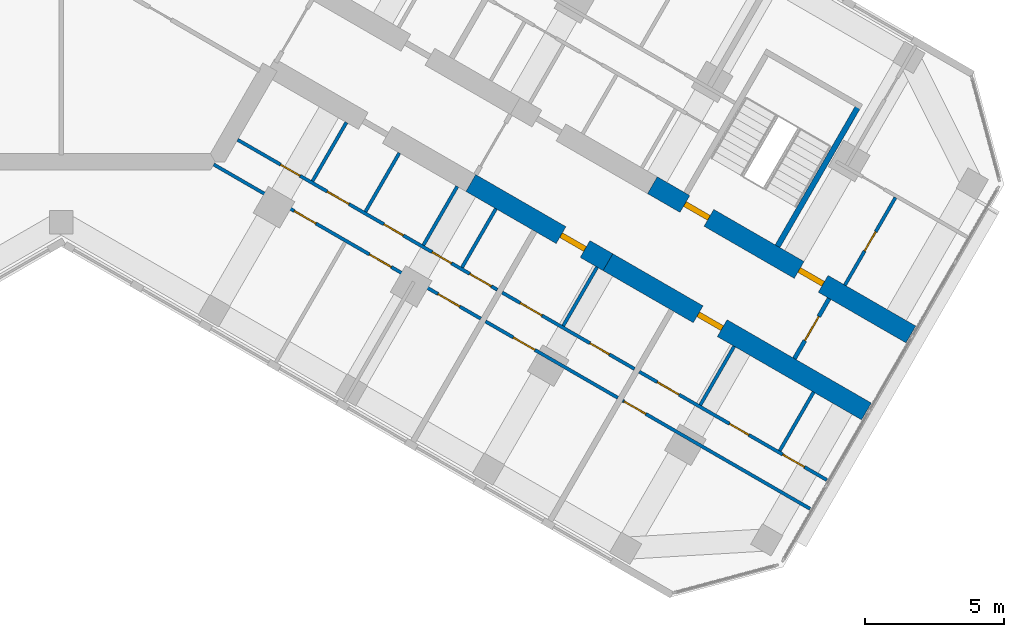
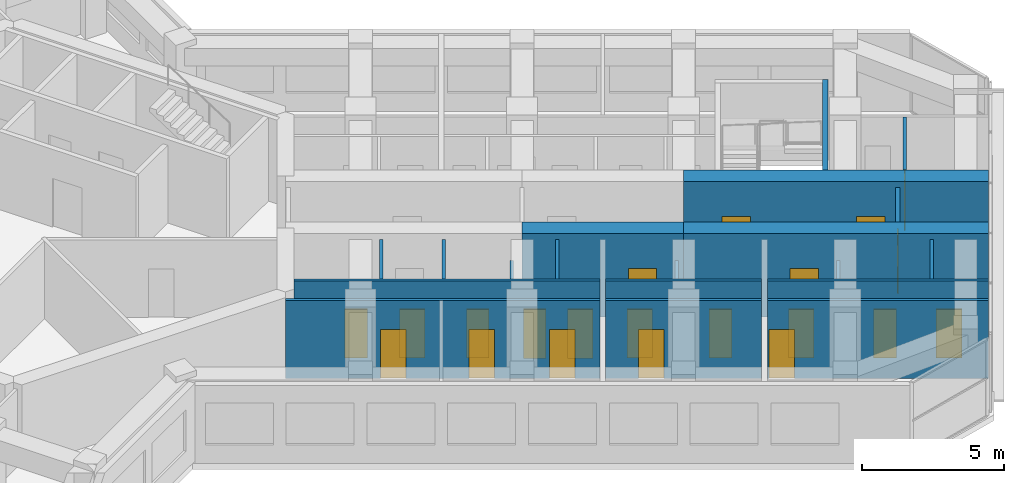
# One storey, part 11 of 16: 21 doors, 19 walls, 21 openings.
"""IFC4 building model written with IfcOpenShell, lengths in metres."""

from ifc_helpers import new_model, si_unit, direction, frame, frame_2d, origin, place, context, subcontext, project, spatial, rectangle, extrude, material, layer, layer_set, type_object, element, fill, save


model = new_model("IFC4")

# Units and contexts
model_context = context("Model", 3, precision=1e-05, world=origin(), true_north=direction((0.0, 1.0)))
body_context = subcontext(model_context, "Body", "Model", "MODEL_VIEW")
ifc_project = project(units=[si_unit("LENGTHUNIT", "METRE"), si_unit("AREAUNIT", "SQUARE_METRE"), si_unit("VOLUMEUNIT", "CUBIC_METRE"), si_unit("PLANEANGLEUNIT", "RADIAN"), si_unit("MASSUNIT", "GRAM", prefix="KILO")], contexts=[model_context])

# Site, building, storey
site_placement = place(None, origin())
site = spatial("IfcSite", under=ifc_project, at=site_placement, CompositionType="ELEMENT")
building_placement = place(site_placement, origin())
building = spatial("IfcBuilding", under=site, at=building_placement, Name="Kosmar Iwan School Tower", CompositionType="ELEMENT")
storey_placement = place(building_placement, frame((0.0, 0.0, 238.800048828125)))
storey = spatial("IfcBuildingStorey", under=building, at=storey_placement, Name="L60", CompositionType="ELEMENT", Elevation=238.800048828125)

# Wall, openings, doors
ifc_material_1 = material(Name="Concrete C50/60", Category="concrete")
ifc_layer_1 = layer(ifc_material_1, 0.699951171875)
ifc_layer_set_1 = layer_set([ifc_layer_1], Name="Corridor buttress wall 700")
wall_type_1 = type_object("IfcWallType", Name="Corridor buttress wall 700", PredefinedType="SHEAR", material=ifc_layer_set_1)
wall_1_placement = place(storey_placement, frame((21.281494140625, -10.439453125, 0.0), z_axis=(0.0, 0.0, 1.0), x_axis=(0.866032345022, -0.499987977232, 0.0)))
wall_1 = element("IfcWall", 1, at=wall_1_placement, inside=storey, type_object=wall_type_1, Name="Corridor wall CL bay 3", PredefinedType="SHEAR", context=body_context, shape_type="SweptSolid", body=[
    extrude(rectangle(XDim=10.744873046875, YDim=0.699951171875, at=frame_2d((5.37255859375, 0.0))), origin(), (0.0, 0.0, 1.0), 3.599853515625),
])
opening_1_placement = place(wall_1_placement, frame((6.10009765625, 0.0, 0.0)))
opening_1 = element("IfcOpeningElement", 2, at=opening_1_placement, cuts=wall_1, Name="Opening D1", PredefinedType="OPENING", context=body_context, shape_type="SweptSolid", body=[
    extrude(rectangle(XDim=1.0, YDim=2.10009765625, at=frame_2d((0.5, 1.050048828125))), frame((0.0, 0.362060546875, 0.0), z_axis=(0.0, -1.0, 0.0), x_axis=(1.0, 0.0, 0.0)), (0.0, 0.0, 1.0), 0.723876953125),
])
opening_2_placement = place(wall_1_placement, frame((1.35009765625, 0.0, 0.0)))
opening_2 = element("IfcOpeningElement", 3, at=opening_2_placement, cuts=wall_1, Name="Opening D6", PredefinedType="OPENING", context=body_context, shape_type="SweptSolid", body=[
    extrude(rectangle(XDim=1.0, YDim=2.10009765625, at=frame_2d((0.5, 1.050048828125))), frame((0.0, 0.362060546875, 0.0), z_axis=(0.0, -1.0, 0.0), x_axis=(1.0, 0.0, 0.0)), (0.0, 0.0, 1.0), 0.723876953125),
])
ifc_material_2 = material(Name="Timber fire door in steel frame", Category="steel")
door_type_1 = type_object("IfcDoorType", Name="Flat entrance door 1000x2100", OperationType="SINGLE_SWING_LEFT", PredefinedType="DOOR", material=ifc_material_2)
door_1_placement = place(opening_1_placement, origin())
door_1 = element("IfcDoor", 4, at=door_1_placement, inside=storey, type_object=door_type_1, Name="Flat L60-CL3 entrance door", OperationType="SINGLE_SWING_RIGHT", OverallHeight=2.10009765625, OverallWidth=1.0, PredefinedType="DOOR", context=body_context, shape_type="SweptSolid", body=[
    extrude(rectangle(XDim=1.0, YDim=2.10009765625, at=frame_2d((0.5, 1.050048828125))), frame((0.0, 0.10009765625, 0.0), z_axis=(0.0, -1.0, 0.0), x_axis=(1.0, 0.0, 0.0)), (0.0, 0.0, 1.0), 0.199951171875),
])
fill(opening_1, door_1)
ifc_material_3 = material(Name="Steel fire door", Category="steel")
door_type_2 = type_object("IfcDoorType", Name="Stair door 1000x2100", OperationType="SINGLE_SWING_LEFT", PredefinedType="DOOR", material=ifc_material_3)
door_2_placement = place(opening_2_placement, origin())
door_2 = element("IfcDoor", 5, at=door_2_placement, inside=storey, type_object=door_type_2, Name="Stair WS3 door L60", OperationType="SINGLE_SWING_LEFT", OverallHeight=2.10009765625, OverallWidth=1.0, PredefinedType="DOOR", context=body_context, shape_type="SweptSolid", body=[
    extrude(rectangle(XDim=1.0, YDim=2.10009765625, at=frame_2d((0.5, 1.050048828125))), frame((0.0, 0.10009765625, 0.0), z_axis=(0.0, -1.0, 0.0), x_axis=(1.0, 0.0, 0.0)), (0.0, 0.0, 1.0), 0.199951171875),
])
fill(opening_2, door_2)

# Wall, opening, door
wall_2_placement = place(storey_placement, frame((14.7451171875, -10.360595703125, 0.0), z_axis=(0.0, 0.0, 1.0), x_axis=(0.866015111908, -0.50001782563, 0.0)))
wall_2 = element("IfcWall", 6, at=wall_2_placement, inside=storey, type_object=wall_type_1, Name="Corridor wall CR bay 2", PredefinedType="SHEAR", context=body_context, shape_type="SweptSolid", body=[
    extrude(rectangle(XDim=5.699951171875, YDim=0.699951171875, at=frame_2d((2.85009765625, 0.0))), origin(), (0.0, 0.0, 1.0), 3.599853515625),
])
opening_3_placement = place(wall_2_placement, frame((3.75, 0.0, 0.0)))
opening_3 = element("IfcOpeningElement", 7, at=opening_3_placement, cuts=wall_2, Name="Opening D1", PredefinedType="OPENING", context=body_context, shape_type="SweptSolid", body=[
    extrude(rectangle(XDim=1.0, YDim=2.10009765625, at=frame_2d((0.5, 1.050048828125))), frame((0.0, 0.362060546875, 0.0), z_axis=(0.0, -1.0, 0.0), x_axis=(1.0, 0.0, 0.0)), (0.0, 0.0, 1.0), 0.723876953125),
])
door_3_placement = place(opening_3_placement, origin())
door_3 = element("IfcDoor", 8, at=door_3_placement, inside=storey, type_object=door_type_1, Name="Flat L60-CR2 entrance door", OperationType="SINGLE_SWING_RIGHT", OverallHeight=2.10009765625, OverallWidth=1.0, PredefinedType="DOOR", context=body_context, shape_type="SweptSolid", body=[
    extrude(rectangle(XDim=1.0, YDim=2.10009765625, at=frame_2d((0.5, 1.050048828125))), frame((0.0, 0.10009765625, 0.0), z_axis=(0.0, -1.0, 0.0), x_axis=(1.0, 0.0, 0.0)), (0.0, 0.0, 1.0), 0.199951171875),
])
fill(opening_3, door_3)

wall_3_placement = place(storey_placement, frame((19.681396484375, -13.210693359375, 0.0), z_axis=(0.0, 0.0, 1.0), x_axis=(0.866028186671, -0.499995179869, 0.0)))
wall_3 = element("IfcWall", 9, at=wall_3_placement, inside=storey, type_object=wall_type_1, Name="Corridor wall CR bay 3", PredefinedType="SHEAR", context=body_context, shape_type="SweptSolid", body=[
    extrude(rectangle(XDim=10.7451171875, YDim=0.699951171875, at=frame_2d((5.37255859375, 0.0))), origin(), (0.0, 0.0, 1.0), 3.599853515625),
])
opening_4_placement = place(wall_3_placement, frame((3.75, 0.0, 0.0)))
opening_4 = element("IfcOpeningElement", 10, at=opening_4_placement, cuts=wall_3, Name="Opening D1", PredefinedType="OPENING", context=body_context, shape_type="SweptSolid", body=[
    extrude(rectangle(XDim=1.0, YDim=2.10009765625, at=frame_2d((0.5, 1.050048828125))), frame((0.0, 0.362060546875, 0.0), z_axis=(0.0, -1.0, 0.0), x_axis=(1.0, 0.0, 0.0)), (0.0, 0.0, 1.0), 0.723876953125),
])
door_4_placement = place(opening_4_placement, origin())
door_4 = element("IfcDoor", 11, at=door_4_placement, inside=storey, type_object=door_type_1, Name="Flat L60-CR3 entrance door", OperationType="SINGLE_SWING_RIGHT", OverallHeight=2.10009765625, OverallWidth=1.0, PredefinedType="DOOR", context=body_context, shape_type="SweptSolid", body=[
    extrude(rectangle(XDim=1.0, YDim=2.10009765625, at=frame_2d((0.5, 1.050048828125))), frame((0.0, 0.10009765625, 0.0), z_axis=(0.0, -1.0, 0.0), x_axis=(1.0, 0.0, 0.0)), (0.0, 0.0, 1.0), 0.199951171875),
])
fill(opening_4, door_4)

ifc_material_4 = material(Name="Gypsum board on steel studs, fire-rated", Category="steel")
ifc_layer_2 = layer(ifc_material_4, 0.14990234375)
ifc_layer_set_2 = layer_set([ifc_layer_2], Name="Corridor end wall 150")
wall_type_2 = type_object("IfcWallType", Name="Corridor end wall 150", PredefinedType="PARTITIONING", material=ifc_layer_set_2)
wall_4_placement = place(storey_placement, frame((26.39501953125, -16.6826171875, 0.0), z_axis=(0.0, 0.0, 1.0), x_axis=(0.500004234368, 0.866022959057, 0.0)))
wall_4 = element("IfcWall", 12, at=wall_4_placement, inside=storey, type_object=wall_type_2, Name="Partition L60-C-CE", PredefinedType="PARTITIONING", context=body_context, shape_type="SweptSolid", body=[
    extrude(rectangle(XDim=2.5, YDim=0.14990234375, at=frame_2d((1.25, 0.0))), origin(), (0.0, 0.0, 1.0), 3.349853515625),
])
opening_5_placement = place(wall_4_placement, frame((0.75, 0.0, 0.0)))
opening_5 = element("IfcOpeningElement", 13, at=opening_5_placement, cuts=wall_4, Name="Opening D13", PredefinedType="OPENING", context=body_context, shape_type="SweptSolid", body=[
    extrude(rectangle(XDim=1.0, YDim=2.10009765625, at=frame_2d((0.5, 1.050048828125))), frame((0.0, 0.0869140625, 0.0), z_axis=(0.0, -1.0, 0.0), x_axis=(1.0, 0.0, 0.0)), (0.0, 0.0, 1.0), 0.173828125),
])
ifc_material_5 = material(Name="Timber fire door with vision panel", Category="wood")
door_type_3 = type_object("IfcDoorType", Name="Corridor end door 1000x2100", OperationType="SINGLE_SWING_LEFT", PredefinedType="DOOR", material=ifc_material_5)
door_5_placement = place(opening_5_placement, origin())
door_5 = element("IfcDoor", 14, at=door_5_placement, inside=storey, type_object=door_type_3, Name="Laundry and drying room door L60-C", OperationType="SINGLE_SWING_LEFT", OverallHeight=2.10009765625, OverallWidth=1.0, PredefinedType="DOOR", context=body_context, shape_type="SweptSolid", body=[
    extrude(rectangle(XDim=1.0, YDim=2.10009765625, at=frame_2d((0.5, 1.050048828125))), frame((0.0, 0.02490234375, 0.0), z_axis=(0.0, -1.0, 0.0), x_axis=(1.0, 0.0, 0.0)), (0.0, 0.0, 1.0), 0.050048828125),
])
fill(opening_5, door_5)

ifc_material_6 = material(Name="Gypsum board on steel studs", Category="steel")
ifc_layer_3 = layer(ifc_material_6, 0.1201171875)
ifc_layer_set_3 = layer_set([ifc_layer_3], Name="Dwelling partition 120")
wall_type_3 = type_object("IfcWallType", Name="Dwelling partition 120", PredefinedType="PARTITIONING", material=ifc_layer_set_3)
wall_5_placement = place(storey_placement, frame((28.21142578125, -14.036376953125, 0.0), z_axis=(0.0, 0.0, 1.0), x_axis=(0.499983701346, 0.866034813612, 0.0)))
wall_5 = element("IfcWall", 15, at=wall_5_placement, inside=storey, type_object=wall_type_3, Name="Partition L60-CL3-TY", PredefinedType="PARTITIONING", context=body_context, shape_type="SweptSolid", body=[
    extrude(rectangle(XDim=3.64013671875, YDim=0.1201171875, at=frame_2d((1.820068359375, 0.0))), origin(), (0.0, 0.0, 1.0), 3.349853515625),
])
opening_6_placement = place(wall_5_placement, frame((1.419921875, 0.0, 0.0)))
opening_6 = element("IfcOpeningElement", 16, at=opening_6_placement, cuts=wall_5, Name="Opening D3", PredefinedType="OPENING", context=body_context, shape_type="SweptSolid", body=[
    extrude(rectangle(XDim=0.800048828125, YDim=2.10009765625, at=frame_2d((0.39990234375, 1.050048828125))), frame((0.0, 0.072021484375, 0.0), z_axis=(0.0, -1.0, 0.0), x_axis=(1.0, 0.0, 0.0)), (0.0, 0.0, 1.0), 0.14404296875),
])
ifc_material_7 = material(Name="Timber door in timber frame", Category="wood")
door_type_4 = type_object("IfcDoorType", Name="Sanitary room door 800x2100", OperationType="SINGLE_SWING_LEFT", PredefinedType="DOOR", material=ifc_material_7)
door_6_placement = place(opening_6_placement, origin())
door_6 = element("IfcDoor", 17, at=door_6_placement, inside=storey, type_object=door_type_4, Name="Bathroom door L60-CL3-T4", OperationType="SINGLE_SWING_LEFT", OverallHeight=2.10009765625, OverallWidth=0.800048828125, PredefinedType="DOOR", context=body_context, shape_type="SweptSolid", body=[
    extrude(rectangle(XDim=0.800048828125, YDim=2.10009765625, at=frame_2d((0.39990234375, 1.050048828125))), frame((0.0, 0.02490234375, 0.0), z_axis=(0.0, -1.0, 0.0), x_axis=(1.0, 0.0, 0.0)), (0.0, 0.0, 1.0), 0.050048828125),
])
fill(opening_6, door_6)

# Wall, openings, doors
wall_6_placement = place(storey_placement, frame((6.3486328125, -8.8037109375, 0.0), z_axis=(0.0, 0.0, 1.0), x_axis=(0.866018442252, -0.500012057535, 0.0)))
wall_6 = element("IfcWall", 18, at=wall_6_placement, inside=storey, type_object=wall_type_3, Name="Partition L60-CR1-W1", PredefinedType="PARTITIONING", context=body_context, shape_type="SweptSolid", body=[
    extrude(rectangle(XDim=10.800048828125, YDim=0.1201171875, at=frame_2d((5.39990234375, 0.0))), origin(), (0.0, 0.0, 1.0), 3.349853515625),
])
opening_7_placement = place(wall_6_placement, frame((1.7900390625, 0.0, 0.0)))
opening_7 = element("IfcOpeningElement", 19, at=opening_7_placement, cuts=wall_6, Name="Opening D3", PredefinedType="OPENING", context=body_context, shape_type="SweptSolid", body=[
    extrude(rectangle(XDim=0.800048828125, YDim=2.10009765625, at=frame_2d((0.39990234375, 1.050048828125))), frame((0.0, 0.072021484375, 0.0), z_axis=(0.0, -1.0, 0.0), x_axis=(1.0, 0.0, 0.0)), (0.0, 0.0, 1.0), 0.14404296875),
])
opening_8_placement = place(wall_6_placement, frame((3.72998046875, 0.0, 0.0)))
opening_8 = element("IfcOpeningElement", 20, at=opening_8_placement, cuts=wall_6, Name="Opening D2", PredefinedType="OPENING", context=body_context, shape_type="SweptSolid", body=[
    extrude(rectangle(XDim=0.89990234375, YDim=2.10009765625, at=frame_2d((0.449951171875, 1.050048828125))), frame((0.0, 0.072021484375, 0.0), z_axis=(0.0, -1.0, 0.0), x_axis=(1.0, 0.0, 0.0)), (0.0, 0.0, 1.0), 0.14404296875),
])
opening_9_placement = place(wall_6_placement, frame((6.084228515625, 0.0, 0.0)))
opening_9 = element("IfcOpeningElement", 21, at=opening_9_placement, cuts=wall_6, Name="Opening D3", PredefinedType="OPENING", context=body_context, shape_type="SweptSolid", body=[
    extrude(rectangle(XDim=0.800048828125, YDim=2.10009765625, at=frame_2d((0.39990234375, 1.050048828125))), frame((0.0, 0.072021484375, 0.0), z_axis=(0.0, -1.0, 0.0), x_axis=(1.0, 0.0, 0.0)), (0.0, 0.0, 1.0), 0.14404296875),
])
opening_10_placement = place(wall_6_placement, frame((8.091552734375, 0.0, 0.0)))
opening_10 = element("IfcOpeningElement", 22, at=opening_10_placement, cuts=wall_6, Name="Opening D3", PredefinedType="OPENING", context=body_context, shape_type="SweptSolid", body=[
    extrude(rectangle(XDim=0.800048828125, YDim=2.10009765625, at=frame_2d((0.39990234375, 1.050048828125))), frame((0.0, 0.072021484375, 0.0), z_axis=(0.0, -1.0, 0.0), x_axis=(1.0, 0.0, 0.0)), (0.0, 0.0, 1.0), 0.14404296875),
])
opening_11_placement = place(wall_6_placement, frame((9.647216796875, 0.0, 0.0)))
opening_11 = element("IfcOpeningElement", 23, at=opening_11_placement, cuts=wall_6, Name="Opening D2", PredefinedType="OPENING", context=body_context, shape_type="SweptSolid", body=[
    extrude(rectangle(XDim=0.89990234375, YDim=2.10009765625, at=frame_2d((0.449951171875, 1.050048828125))), frame((0.0, 0.072021484375, 0.0), z_axis=(0.0, -1.0, 0.0), x_axis=(1.0, 0.0, 0.0)), (0.0, 0.0, 1.0), 0.14404296875),
])
ifc_material_8 = material(Name="Timber door in timber frame", Category="wood")
door_type_5 = type_object("IfcDoorType", Name="Internal door 900x2100", OperationType="SINGLE_SWING_LEFT", PredefinedType="DOOR", material=ifc_material_8)
door_7_placement = place(opening_8_placement, origin())
door_7 = element("IfcDoor", 24, at=door_7_placement, inside=storey, type_object=door_type_5, Name="Entrance hall door L60-CR1-S2", OperationType="SINGLE_SWING_RIGHT", OverallHeight=2.10009765625, OverallWidth=0.89990234375, PredefinedType="DOOR", context=body_context, shape_type="SweptSolid", body=[
    extrude(rectangle(XDim=0.89990234375, YDim=2.10009765625, at=frame_2d((0.449951171875, 1.050048828125))), frame((0.0, 0.02490234375, 0.0), z_axis=(0.0, -1.0, 0.0), x_axis=(1.0, 0.0, 0.0)), (0.0, 0.0, 1.0), 0.050048828125),
])
fill(opening_8, door_7)
door_8_placement = place(opening_11_placement, origin())
door_8 = element("IfcDoor", 25, at=door_8_placement, inside=storey, type_object=door_type_5, Name="Pantry door L60-CR1-S5", OperationType="SINGLE_SWING_RIGHT", OverallHeight=2.10009765625, OverallWidth=0.89990234375, PredefinedType="DOOR", context=body_context, shape_type="SweptSolid", body=[
    extrude(rectangle(XDim=0.89990234375, YDim=2.10009765625, at=frame_2d((0.449951171875, 1.050048828125))), frame((0.0, 0.02490234375, 0.0), z_axis=(0.0, -1.0, 0.0), x_axis=(1.0, 0.0, 0.0)), (0.0, 0.0, 1.0), 0.050048828125),
])
fill(opening_11, door_8)
door_9_placement = place(opening_7_placement, origin())
door_9 = element("IfcDoor", 26, at=door_9_placement, inside=storey, type_object=door_type_4, Name="Shower room door L60-CR1-S1", OperationType="SINGLE_SWING_RIGHT", OverallHeight=2.10009765625, OverallWidth=0.800048828125, PredefinedType="DOOR", context=body_context, shape_type="SweptSolid", body=[
    extrude(rectangle(XDim=0.800048828125, YDim=2.10009765625, at=frame_2d((0.39990234375, 1.050048828125))), frame((0.0, 0.02490234375, 0.0), z_axis=(0.0, -1.0, 0.0), x_axis=(1.0, 0.0, 0.0)), (0.0, 0.0, 1.0), 0.050048828125),
])
fill(opening_7, door_9)
door_10_placement = place(opening_9_placement, origin())
door_10 = element("IfcDoor", 27, at=door_10_placement, inside=storey, type_object=door_type_4, Name="Bathroom door L60-CR1-S3", OperationType="SINGLE_SWING_LEFT", OverallHeight=2.10009765625, OverallWidth=0.800048828125, PredefinedType="DOOR", context=body_context, shape_type="SweptSolid", body=[
    extrude(rectangle(XDim=0.800048828125, YDim=2.10009765625, at=frame_2d((0.39990234375, 1.050048828125))), frame((0.0, 0.02490234375, 0.0), z_axis=(0.0, -1.0, 0.0), x_axis=(1.0, 0.0, 0.0)), (0.0, 0.0, 1.0), 0.050048828125),
])
fill(opening_9, door_10)
door_11_placement = place(opening_10_placement, origin())
door_11 = element("IfcDoor", 28, at=door_11_placement, inside=storey, type_object=door_type_4, Name="Grandparents' shower room door L60-CR1-S4", OperationType="SINGLE_SWING_RIGHT", OverallHeight=2.10009765625, OverallWidth=0.800048828125, PredefinedType="DOOR", context=body_context, shape_type="SweptSolid", body=[
    extrude(rectangle(XDim=0.800048828125, YDim=2.10009765625, at=frame_2d((0.39990234375, 1.050048828125))), frame((0.0, 0.02490234375, 0.0), z_axis=(0.0, -1.0, 0.0), x_axis=(1.0, 0.0, 0.0)), (0.0, 0.0, 1.0), 0.050048828125),
])
fill(opening_10, door_11)

wall_7_placement = place(storey_placement, frame((5.48876953125, -9.693115234375, 0.0), z_axis=(0.0, 0.0, 1.0), x_axis=(0.866026992824, -0.499997247692, 0.0)))
wall_7 = element("IfcWall", 29, at=wall_7_placement, inside=storey, type_object=wall_type_3, Name="Partition L60-CR1-W2", PredefinedType="PARTITIONING", context=body_context, shape_type="SweptSolid", body=[
    extrude(rectangle(XDim=11.10009765625, YDim=0.1201171875, at=frame_2d((5.550048828125, 0.0))), origin(), (0.0, 0.0, 1.0), 3.349853515625),
])
opening_12_placement = place(wall_7_placement, frame((3.35009765625, 0.0, 0.0)))
opening_12 = element("IfcOpeningElement", 30, at=opening_12_placement, cuts=wall_7, Name="Opening D2", PredefinedType="OPENING", context=body_context, shape_type="SweptSolid", body=[
    extrude(rectangle(XDim=0.89990234375, YDim=2.10009765625, at=frame_2d((0.449951171875, 1.050048828125))), frame((0.0, 0.072021484375, 0.0), z_axis=(0.0, -1.0, 0.0), x_axis=(1.0, 0.0, 0.0)), (0.0, 0.0, 1.0), 0.14404296875),
])
opening_13_placement = place(wall_7_placement, frame((6.47509765625, 0.0, 0.0)))
opening_13 = element("IfcOpeningElement", 31, at=opening_13_placement, cuts=wall_7, Name="Opening D2", PredefinedType="OPENING", context=body_context, shape_type="SweptSolid", body=[
    extrude(rectangle(XDim=0.89990234375, YDim=2.10009765625, at=frame_2d((0.449951171875, 1.050048828125))), frame((0.0, 0.072021484375, 0.0), z_axis=(0.0, -1.0, 0.0), x_axis=(1.0, 0.0, 0.0)), (0.0, 0.0, 1.0), 0.14404296875),
])
opening_14_placement = place(wall_7_placement, frame((9.324951171875, 0.0, 0.0)))
opening_14 = element("IfcOpeningElement", 32, at=opening_14_placement, cuts=wall_7, Name="Opening D2", PredefinedType="OPENING", context=body_context, shape_type="SweptSolid", body=[
    extrude(rectangle(XDim=0.89990234375, YDim=2.10009765625, at=frame_2d((0.449951171875, 1.050048828125))), frame((0.0, 0.072021484375, 0.0), z_axis=(0.0, -1.0, 0.0), x_axis=(1.0, 0.0, 0.0)), (0.0, 0.0, 1.0), 0.14404296875),
])
door_12_placement = place(opening_12_placement, origin())
door_12 = element("IfcDoor", 33, at=door_12_placement, inside=storey, type_object=door_type_5, Name="Grandparents' suite door L60-CR1-F1", OperationType="SINGLE_SWING_LEFT", OverallHeight=2.10009765625, OverallWidth=0.89990234375, PredefinedType="DOOR", context=body_context, shape_type="SweptSolid", body=[
    extrude(rectangle(XDim=0.89990234375, YDim=2.10009765625, at=frame_2d((0.449951171875, 1.050048828125))), frame((0.0, 0.02490234375, 0.0), z_axis=(0.0, -1.0, 0.0), x_axis=(1.0, 0.0, 0.0)), (0.0, 0.0, 1.0), 0.050048828125),
])
fill(opening_12, door_12)
door_13_placement = place(opening_13_placement, origin())
door_13 = element("IfcDoor", 34, at=door_13_placement, inside=storey, type_object=door_type_5, Name="Living room and kitchen door L60-CR1-F2", OperationType="SINGLE_SWING_RIGHT", OverallHeight=2.10009765625, OverallWidth=0.89990234375, PredefinedType="DOOR", context=body_context, shape_type="SweptSolid", body=[
    extrude(rectangle(XDim=0.89990234375, YDim=2.10009765625, at=frame_2d((0.449951171875, 1.050048828125))), frame((0.0, 0.02490234375, 0.0), z_axis=(0.0, -1.0, 0.0), x_axis=(1.0, 0.0, 0.0)), (0.0, 0.0, 1.0), 0.050048828125),
])
fill(opening_13, door_13)
door_14_placement = place(opening_14_placement, origin())
door_14 = element("IfcDoor", 35, at=door_14_placement, inside=storey, type_object=door_type_5, Name="Bedroom 1 door L60-CR1-F3", OperationType="SINGLE_SWING_RIGHT", OverallHeight=2.10009765625, OverallWidth=0.89990234375, PredefinedType="DOOR", context=body_context, shape_type="SweptSolid", body=[
    extrude(rectangle(XDim=0.89990234375, YDim=2.10009765625, at=frame_2d((0.449951171875, 1.050048828125))), frame((0.0, 0.02490234375, 0.0), z_axis=(0.0, -1.0, 0.0), x_axis=(1.0, 0.0, 0.0)), (0.0, 0.0, 1.0), 0.050048828125),
])
fill(opening_14, door_14)

# Walls
for number, where, z_axis, x_axis, name in (
    (36, (10.26611328125, -8.1787109375, 0.0), (0.0, 0.0, 1.0), (-0.500077547548, -0.865980627057, 0.0), "Partition L60-CR1-Y1"),
    (37, (12.17138671875, -9.27880859375, 0.0), (0.0, 0.0, 1.0), (-0.500077547548, -0.865980627057, 0.0), "Partition L60-CR1-Y2"),
):
    element("IfcWall", number, at=place(storey_placement, frame(where, z_axis=z_axis, x_axis=x_axis)), inside=storey, type_object=wall_type_3, Name=name, PredefinedType="PARTITIONING", context=body_context, shape_type="SweptSolid", body=[
        extrude(rectangle(XDim=2.43994140625, YDim=0.1201171875, at=frame_2d((1.219970703125, 0.0))), origin(), (0.0, 0.0, 1.0), 3.349853515625),
    ])
wall_8_placement = place(storey_placement, frame((14.257080078125, -10.48291015625, 0.0), z_axis=(0.0, 0.0, 1.0), x_axis=(-0.499959183527, -0.866048967903, 0.0)))
element("IfcWall", 38, at=wall_8_placement, inside=storey, type_object=wall_type_3, Name="Partition L60-CR1-Y3", PredefinedType="PARTITIONING", context=body_context, shape_type="SweptSolid", body=[
    extrude(rectangle(XDim=2.440185546875, YDim=0.1201171875, at=frame_2d((1.22021484375, 0.0))), origin(), (0.0, 0.0, 1.0), 2.449951171875),
])
wall_9_placement = place(storey_placement, frame((15.647705078125, -11.285888671875, 0.0), z_axis=(0.0, 0.0, 1.0), x_axis=(-0.500002508028, -0.866023955769, 0.0)))
element("IfcWall", 39, at=wall_9_placement, inside=storey, type_object=wall_type_3, Name="Partition L60-CR1-Y4", PredefinedType="PARTITIONING", context=body_context, shape_type="SweptSolid", body=[
    extrude(rectangle(XDim=2.43994140625, YDim=0.1201171875, at=frame_2d((1.219970703125, 0.0))), origin(), (0.0, 0.0, 1.0), 3.349853515625),
])

# Wall, openings, doors
wall_10_placement = place(storey_placement, frame((15.875, -14.3037109375, 0.0), z_axis=(0.0, 0.0, 1.0), x_axis=(0.866027397988, -0.499996545922, 0.0)))
wall_10 = element("IfcWall", 40, at=wall_10_placement, inside=storey, type_object=wall_type_3, Name="Partition L60-CR2-W1", PredefinedType="PARTITIONING", context=body_context, shape_type="SweptSolid", body=[
    extrude(rectangle(XDim=5.5, YDim=0.1201171875, at=frame_2d((2.75, 0.0))), origin(), (0.0, 0.0, 1.0), 3.349853515625),
])
opening_15_placement = place(wall_10_placement, frame((0.75, 0.0, 0.0)))
opening_15 = element("IfcOpeningElement", 41, at=opening_15_placement, cuts=wall_10, Name="Opening D2", PredefinedType="OPENING", context=body_context, shape_type="SweptSolid", body=[
    extrude(rectangle(XDim=0.89990234375, YDim=2.10009765625, at=frame_2d((0.449951171875, 1.050048828125))), frame((0.0, 0.072021484375, 0.0), z_axis=(0.0, -1.0, 0.0), x_axis=(1.0, 0.0, 0.0)), (0.0, 0.0, 1.0), 0.14404296875),
])
opening_16_placement = place(wall_10_placement, frame((3.64990234375, 0.0, 0.0)))
opening_16 = element("IfcOpeningElement", 42, at=opening_16_placement, cuts=wall_10, Name="Opening D3", PredefinedType="OPENING", context=body_context, shape_type="SweptSolid", body=[
    extrude(rectangle(XDim=0.800048828125, YDim=2.10009765625, at=frame_2d((0.39990234375, 1.050048828125))), frame((0.0, 0.072021484375, 0.0), z_axis=(0.0, -1.0, 0.0), x_axis=(1.0, 0.0, 0.0)), (0.0, 0.0, 1.0), 0.14404296875),
])
door_15_placement = place(opening_15_placement, origin())
door_15 = element("IfcDoor", 43, at=door_15_placement, inside=storey, type_object=door_type_5, Name="Entrance hall door L60-CR2-S1", OperationType="SINGLE_SWING_LEFT", OverallHeight=2.10009765625, OverallWidth=0.89990234375, PredefinedType="DOOR", context=body_context, shape_type="SweptSolid", body=[
    extrude(rectangle(XDim=0.89990234375, YDim=2.10009765625, at=frame_2d((0.449951171875, 1.050048828125))), frame((0.0, 0.02490234375, 0.0), z_axis=(0.0, -1.0, 0.0), x_axis=(1.0, 0.0, 0.0)), (0.0, 0.0, 1.0), 0.050048828125),
])
fill(opening_15, door_15)
door_16_placement = place(opening_16_placement, origin())
door_16 = element("IfcDoor", 44, at=door_16_placement, inside=storey, type_object=door_type_4, Name="Bathroom door L60-CR2-S2", OperationType="SINGLE_SWING_RIGHT", OverallHeight=2.10009765625, OverallWidth=0.800048828125, PredefinedType="DOOR", context=body_context, shape_type="SweptSolid", body=[
    extrude(rectangle(XDim=0.800048828125, YDim=2.10009765625, at=frame_2d((0.39990234375, 1.050048828125))), frame((0.0, 0.02490234375, 0.0), z_axis=(0.0, -1.0, 0.0), x_axis=(1.0, 0.0, 0.0)), (0.0, 0.0, 1.0), 0.050048828125),
])
fill(opening_16, door_16)

# Wall, opening, door
wall_11_placement = place(storey_placement, frame((15.27490234375, -15.343017578125, 0.0), z_axis=(0.0, 0.0, 1.0), x_axis=(0.866027397988, -0.499996545922, 0.0)))
wall_11 = element("IfcWall", 45, at=wall_11_placement, inside=storey, type_object=wall_type_3, Name="Partition L60-CR2-W2", PredefinedType="PARTITIONING", context=body_context, shape_type="SweptSolid", body=[
    extrude(rectangle(XDim=5.5, YDim=0.1201171875, at=frame_2d((2.75, 0.0))), origin(), (0.0, 0.0, 1.0), 3.349853515625),
])
opening_17_placement = place(wall_11_placement, frame((1.14990234375, 0.0, 0.0)))
opening_17 = element("IfcOpeningElement", 46, at=opening_17_placement, cuts=wall_11, Name="Opening D2", PredefinedType="OPENING", context=body_context, shape_type="SweptSolid", body=[
    extrude(rectangle(XDim=0.89990234375, YDim=2.10009765625, at=frame_2d((0.449951171875, 1.050048828125))), frame((0.0, 0.072021484375, 0.0), z_axis=(0.0, -1.0, 0.0), x_axis=(1.0, 0.0, 0.0)), (0.0, 0.0, 1.0), 0.14404296875),
])
door_17_placement = place(opening_17_placement, origin())
door_17 = element("IfcDoor", 47, at=door_17_placement, inside=storey, type_object=door_type_5, Name="Studio living room and kitchen door L60-CR2-F1", OperationType="SINGLE_SWING_LEFT", OverallHeight=2.10009765625, OverallWidth=0.89990234375, PredefinedType="DOOR", context=body_context, shape_type="SweptSolid", body=[
    extrude(rectangle(XDim=0.89990234375, YDim=2.10009765625, at=frame_2d((0.449951171875, 1.050048828125))), frame((0.0, 0.02490234375, 0.0), z_axis=(0.0, -1.0, 0.0), x_axis=(1.0, 0.0, 0.0)), (0.0, 0.0, 1.0), 0.050048828125),
])
fill(opening_17, door_17)

# Wall
wall_12_placement = place(storey_placement, frame((19.2900390625, -13.388671875, 0.0), z_axis=(0.0, 0.0, 1.0), x_axis=(-0.499959183527, -0.866048967903, 0.0)))
element("IfcWall", 48, at=wall_12_placement, inside=storey, type_object=wall_type_3, Name="Partition L60-CR2-Y1", PredefinedType="PARTITIONING", context=body_context, shape_type="SweptSolid", body=[
    extrude(rectangle(XDim=2.440185546875, YDim=0.1201171875, at=frame_2d((1.22021484375, 0.0))), origin(), (0.0, 0.0, 1.0), 2.449951171875),
])

# Wall, openings, doors
wall_13_placement = place(storey_placement, frame((20.811279296875, -17.15380859375, 0.0), z_axis=(0.0, 0.0, 1.0), x_axis=(0.866029639064, -0.499992664208, 0.0)))
wall_13 = element("IfcWall", 49, at=wall_13_placement, inside=storey, type_object=wall_type_3, Name="Partition L60-CR3-W1", PredefinedType="PARTITIONING", context=body_context, shape_type="SweptSolid", body=[
    extrude(rectangle(XDim=7.794921875, YDim=0.1201171875, at=frame_2d((3.8974609375, 0.0))), origin(), (0.0, 0.0, 1.0), 3.349853515625),
])
opening_18_placement = place(wall_13_placement, frame((0.75, 0.0, 0.0)))
opening_18 = element("IfcOpeningElement", 50, at=opening_18_placement, cuts=wall_13, Name="Opening D2", PredefinedType="OPENING", context=body_context, shape_type="SweptSolid", body=[
    extrude(rectangle(XDim=0.89990234375, YDim=2.10009765625, at=frame_2d((0.449951171875, 1.050048828125))), frame((0.0, 0.072021484375, 0.0), z_axis=(0.0, -1.0, 0.0), x_axis=(1.0, 0.0, 0.0)), (0.0, 0.0, 1.0), 0.14404296875),
])
opening_19_placement = place(wall_13_placement, frame((3.75, 0.0, 0.0)))
opening_19 = element("IfcOpeningElement", 51, at=opening_19_placement, cuts=wall_13, Name="Opening D3", PredefinedType="OPENING", context=body_context, shape_type="SweptSolid", body=[
    extrude(rectangle(XDim=0.800048828125, YDim=2.10009765625, at=frame_2d((0.39990234375, 1.050048828125))), frame((0.0, 0.072021484375, 0.0), z_axis=(0.0, -1.0, 0.0), x_axis=(1.0, 0.0, 0.0)), (0.0, 0.0, 1.0), 0.14404296875),
])
opening_20_placement = place(wall_13_placement, frame((5.9599609375, 0.0, 0.0)))
opening_20 = element("IfcOpeningElement", 52, at=opening_20_placement, cuts=wall_13, Name="Opening D2", PredefinedType="OPENING", context=body_context, shape_type="SweptSolid", body=[
    extrude(rectangle(XDim=0.89990234375, YDim=2.10009765625, at=frame_2d((0.449951171875, 1.050048828125))), frame((0.0, 0.072021484375, 0.0), z_axis=(0.0, -1.0, 0.0), x_axis=(1.0, 0.0, 0.0)), (0.0, 0.0, 1.0), 0.14404296875),
])
door_18_placement = place(opening_18_placement, origin())
door_18 = element("IfcDoor", 53, at=door_18_placement, inside=storey, type_object=door_type_5, Name="Entrance hall door L60-CR3-S1", OperationType="SINGLE_SWING_RIGHT", OverallHeight=2.10009765625, OverallWidth=0.89990234375, PredefinedType="DOOR", context=body_context, shape_type="SweptSolid", body=[
    extrude(rectangle(XDim=0.89990234375, YDim=2.10009765625, at=frame_2d((0.449951171875, 1.050048828125))), frame((0.0, 0.02490234375, 0.0), z_axis=(0.0, -1.0, 0.0), x_axis=(1.0, 0.0, 0.0)), (0.0, 0.0, 1.0), 0.050048828125),
])
fill(opening_18, door_18)
door_19_placement = place(opening_20_placement, origin())
door_19 = element("IfcDoor", 54, at=door_19_placement, inside=storey, type_object=door_type_5, Name="Pantry door L60-CR3-S3", OperationType="SINGLE_SWING_LEFT", OverallHeight=2.10009765625, OverallWidth=0.89990234375, PredefinedType="DOOR", context=body_context, shape_type="SweptSolid", body=[
    extrude(rectangle(XDim=0.89990234375, YDim=2.10009765625, at=frame_2d((0.449951171875, 1.050048828125))), frame((0.0, 0.02490234375, 0.0), z_axis=(0.0, -1.0, 0.0), x_axis=(1.0, 0.0, 0.0)), (0.0, 0.0, 1.0), 0.050048828125),
])
fill(opening_20, door_19)
door_20_placement = place(opening_19_placement, origin())
door_20 = element("IfcDoor", 55, at=door_20_placement, inside=storey, type_object=door_type_4, Name="Bathroom door L60-CR3-S2", OperationType="SINGLE_SWING_LEFT", OverallHeight=2.10009765625, OverallWidth=0.800048828125, PredefinedType="DOOR", context=body_context, shape_type="SweptSolid", body=[
    extrude(rectangle(XDim=0.800048828125, YDim=2.10009765625, at=frame_2d((0.39990234375, 1.050048828125))), frame((0.0, 0.02490234375, 0.0), z_axis=(0.0, -1.0, 0.0), x_axis=(1.0, 0.0, 0.0)), (0.0, 0.0, 1.0), 0.050048828125),
])
fill(opening_19, door_20)

# Wall, opening, door
wall_14_placement = place(storey_placement, frame((20.211181640625, -18.193115234375, 0.0), z_axis=(0.0, 0.0, 1.0), x_axis=(0.866029639064, -0.499992664208, 0.0)))
wall_14 = element("IfcWall", 56, at=wall_14_placement, inside=storey, type_object=wall_type_3, Name="Partition L60-CR3-W2", PredefinedType="PARTITIONING", context=body_context, shape_type="SweptSolid", body=[
    extrude(rectangle(XDim=7.794921875, YDim=0.1201171875, at=frame_2d((3.8974609375, 0.0))), origin(), (0.0, 0.0, 1.0), 3.349853515625),
])
opening_21_placement = place(wall_14_placement, frame((0.06005859375, 0.0, 0.0)))
opening_21 = element("IfcOpeningElement", 57, at=opening_21_placement, cuts=wall_14, Name="Opening D2", PredefinedType="OPENING", context=body_context, shape_type="SweptSolid", body=[
    extrude(rectangle(XDim=0.89990234375, YDim=2.10009765625, at=frame_2d((0.449951171875, 1.050048828125))), frame((0.0, 0.072021484375, 0.0), z_axis=(0.0, -1.0, 0.0), x_axis=(1.0, 0.0, 0.0)), (0.0, 0.0, 1.0), 0.14404296875),
])
door_21_placement = place(opening_21_placement, origin())
door_21 = element("IfcDoor", 58, at=door_21_placement, inside=storey, type_object=door_type_5, Name="Studio living room and kitchen door L60-CR3-F1", OperationType="SINGLE_SWING_LEFT", OverallHeight=2.10009765625, OverallWidth=0.89990234375, PredefinedType="DOOR", context=body_context, shape_type="SweptSolid", body=[
    extrude(rectangle(XDim=0.89990234375, YDim=2.10009765625, at=frame_2d((0.449951171875, 1.050048828125))), frame((0.0, 0.02490234375, 0.0), z_axis=(0.0, -1.0, 0.0), x_axis=(1.0, 0.0, 0.0)), (0.0, 0.0, 1.0), 0.050048828125),
])
fill(opening_21, door_21)

# Walls
wall_15_placement = place(storey_placement, frame((24.226318359375, -16.23876953125, 0.0), z_axis=(0.0, 0.0, 1.0), x_axis=(-0.500002508028, -0.866023955769, 0.0)))
element("IfcWall", 59, at=wall_15_placement, inside=storey, type_object=wall_type_3, Name="Partition L60-CR3-Y1", PredefinedType="PARTITIONING", context=body_context, shape_type="SweptSolid", body=[
    extrude(rectangle(XDim=2.43994140625, YDim=0.1201171875, at=frame_2d((1.219970703125, 0.0))), origin(), (0.0, 0.0, 1.0), 2.449951171875),
])
wall_16_placement = place(storey_placement, frame((27.084228515625, -17.888671875, 0.0), z_axis=(0.0, 0.0, 1.0), x_axis=(-0.499959183527, -0.866048967903, 0.0)))
element("IfcWall", 60, at=wall_16_placement, inside=storey, type_object=wall_type_3, Name="Partition L60-CR3-Y2", PredefinedType="PARTITIONING", context=body_context, shape_type="SweptSolid", body=[
    extrude(rectangle(XDim=2.440185546875, YDim=0.1201171875, at=frame_2d((1.22021484375, 0.0))), origin(), (0.0, 0.0, 1.0), 3.349853515625),
])
ifc_material_9 = material(Name="Concrete C35/45", Category="concrete")
ifc_layer_4 = layer(ifc_material_9, 0.199951171875)
ifc_layer_set_4 = layer_set([ifc_layer_4], Name="Escape stair wall 200")
wall_type_4 = type_object("IfcWallType", Name="Escape stair wall 200", PredefinedType="SHEAR", material=ifc_layer_set_4)
wall_17_placement = place(storey_placement, frame((25.78662109375, -12.63623046875, 0.0), z_axis=(0.0, 0.0, 1.0), x_axis=(0.500013701029, 0.866017493347, 0.0)))
element("IfcWall", 61, at=wall_17_placement, inside=storey, type_object=wall_type_4, Name="Stair WS3 wall", PredefinedType="SHEAR", context=body_context, shape_type="SweptSolid", body=[
    extrude(rectangle(XDim=5.949951171875, YDim=0.199951171875, at=frame_2d((2.97509765625, 0.0))), origin(), (0.0, 0.0, 1.0), 3.329833984375),
])

save(model, "model.ifc")
